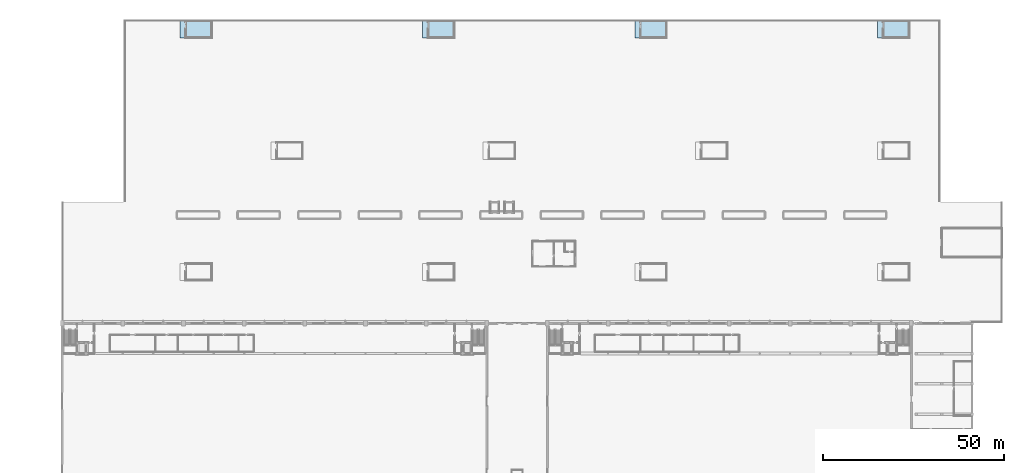
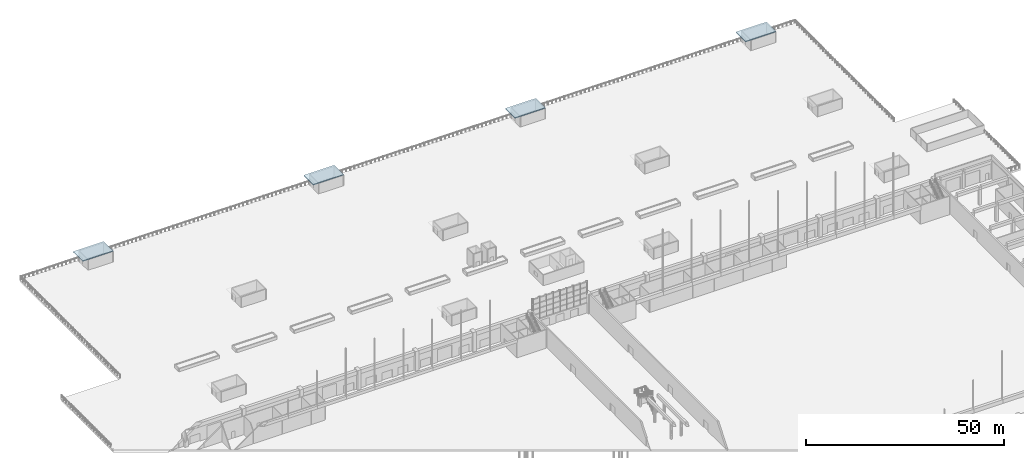
# One storey, part 97 of 210: 4 slabs.
"""IFC4 building model written with IfcOpenShell, lengths in metres."""

from ifc_helpers import new_model, si_unit, direction, frame, origin, place, context, subcontext, project, spatial, polyline, outline, extrude, material, layer, layer_set, type_object, element, save


model = new_model("IFC4")

# Units and contexts
model_context = context("Model", 3, precision=1e-05, world=origin(), true_north=direction((0.0, 1.0)))
body_context = subcontext(model_context, "Body", "Model", "MODEL_VIEW")
ifc_project = project(units=[si_unit("LENGTHUNIT", "METRE"), si_unit("AREAUNIT", "SQUARE_METRE"), si_unit("VOLUMEUNIT", "CUBIC_METRE"), si_unit("PLANEANGLEUNIT", "RADIAN"), si_unit("MASSUNIT", "GRAM", prefix="KILO")], contexts=[model_context])

# Site, building, storey
site_placement = place(None, origin())
site = spatial("IfcSite", under=ifc_project, at=site_placement, CompositionType="ELEMENT")
building_placement = place(site_placement, origin())
building = spatial("IfcBuilding", under=site, at=building_placement, Name="Rain Tree Exposition and Congress Centre", CompositionType="ELEMENT")
storey_placement = place(building_placement, origin())
storey = spatial("IfcBuildingStorey", under=building, at=storey_placement, Name="L00", CompositionType="ELEMENT", Elevation=0.0)

# Slabs
ifc_material = material(Name="Concrete C40/50", Category="concrete")
ifc_layer = layer(ifc_material, 0.25)
ifc_layer_set = layer_set([ifc_layer], Name="Concrete C40/50")
slab_type = type_object("IfcSlabType", Name="Lift roof slab 250", PredefinedType="ROOF", material=ifc_layer_set)
slab_1_placement = place(storey_placement, frame((0.0, 0.0, 3.199951171875)))
element("IfcSlab", 1, at=slab_1_placement, inside=storey, type_object=slab_type, Name="Exit stair N09 roof and entrance canopy", PredefinedType="ROOF", context=body_context, shape_type="SweptSolid", body=[
    extrude(outline(polyline([(41.0, 280.60009765625), (49.89990234375, 280.60009765625), (49.89990234375, 285.39990234375), (41.0, 285.39990234375), (41.0, 280.60009765625)])), origin(), (0.0, 0.0, 1.0), 0.25),
])
slab_2_placement = place(storey_placement, frame((0.0, 0.0, 3.199951171875)))
element("IfcSlab", 2, at=slab_2_placement, inside=storey, type_object=slab_type, Name="Exit stair N10 roof and entrance canopy", PredefinedType="ROOF", context=body_context, shape_type="SweptSolid", body=[
    extrude(outline(polyline([(108.199951171875, 280.60009765625), (117.10009765625, 280.60009765625), (117.10009765625, 285.39990234375), (108.199951171875, 285.39990234375), (108.199951171875, 280.60009765625)])), origin(), (0.0, 0.0, 1.0), 0.25),
])
slab_3_placement = place(storey_placement, frame((0.0, 0.0, 3.199951171875)))
element("IfcSlab", 3, at=slab_3_placement, inside=storey, type_object=slab_type, Name="Exit stair N11 roof and entrance canopy", PredefinedType="ROOF", context=body_context, shape_type="SweptSolid", body=[
    extrude(outline(polyline([(167.0, 280.60009765625), (175.89990234375, 280.60009765625), (175.89990234375, 285.39990234375), (167.0, 285.39990234375), (167.0, 280.60009765625)])), origin(), (0.0, 0.0, 1.0), 0.25),
])
slab_4_placement = place(storey_placement, frame((0.0, 0.0, 3.199951171875)))
element("IfcSlab", 4, at=slab_4_placement, inside=storey, type_object=slab_type, Name="Exit stair N12 roof and entrance canopy", PredefinedType="ROOF", context=body_context, shape_type="SweptSolid", body=[
    extrude(outline(polyline([(234.199951171875, 280.60009765625), (243.10009765625, 280.60009765625), (243.10009765625, 285.39990234375), (234.199951171875, 285.39990234375), (234.199951171875, 280.60009765625)])), origin(), (0.0, 0.0, 1.0), 0.25),
])

save(model, "model.ifc")
